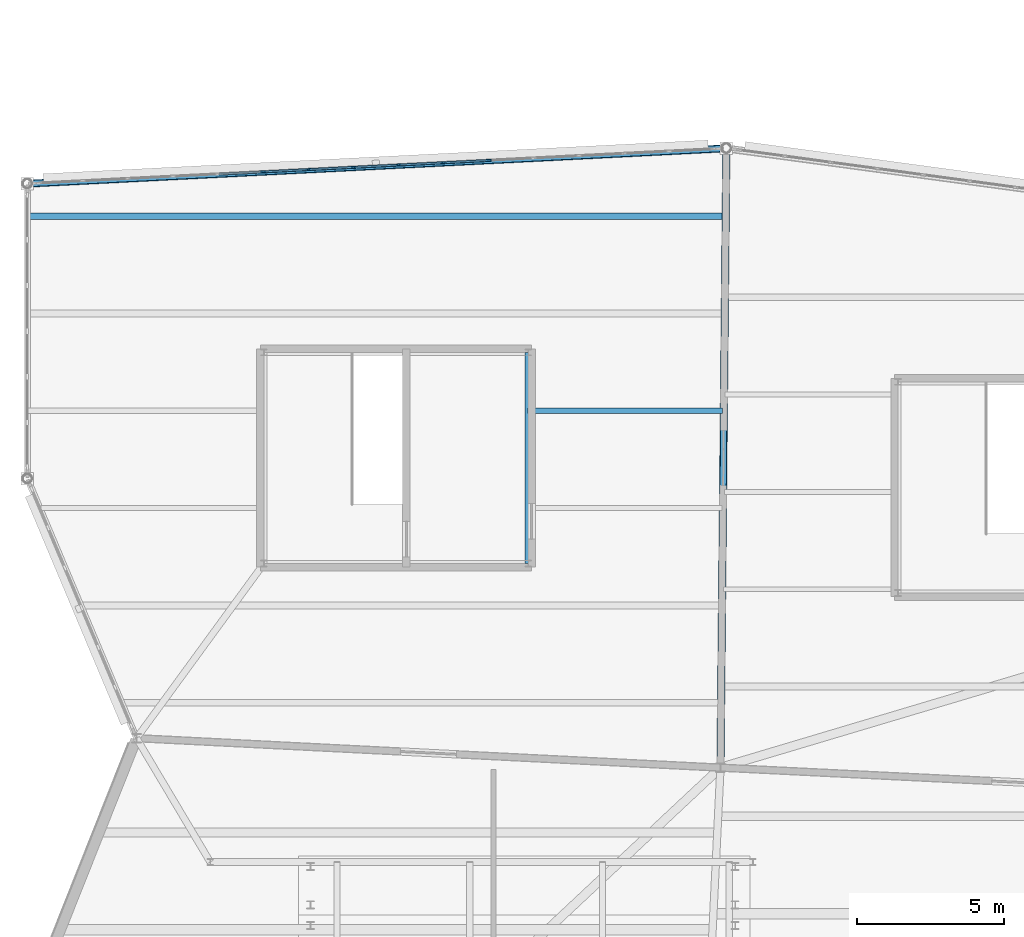
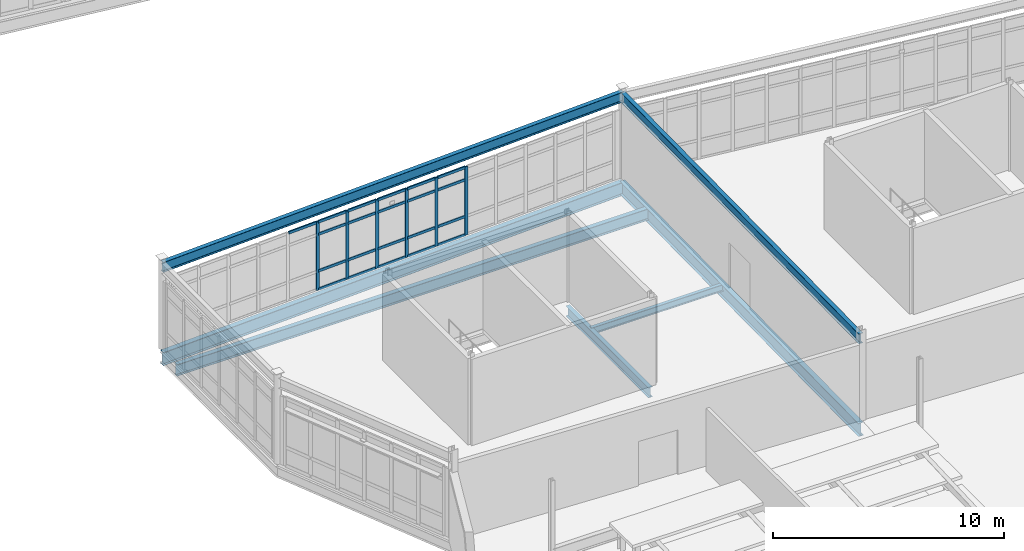
# One storey, part 32 of 134: 27 members, 7 beams, 1 element without a shape of its own.
"""IFC4 building model written with IfcOpenShell, lengths in metres."""

from ifc_helpers import new_model, si_unit, direction, frame, origin, origin_2d, place, context, subcontext, project, spatial, rectangle, i_section, extrude, material, material_profile, profile_set, type_object, element, aggregate, save


model = new_model("IFC4")

# Units and contexts
model_context = context("Model", 3, precision=1e-05, world=origin(), true_north=direction((0.0, 1.0)))
body_context = subcontext(model_context, "Body", "Model", "MODEL_VIEW")
ifc_project = project(units=[si_unit("LENGTHUNIT", "METRE"), si_unit("AREAUNIT", "SQUARE_METRE"), si_unit("VOLUMEUNIT", "CUBIC_METRE"), si_unit("PLANEANGLEUNIT", "RADIAN"), si_unit("MASSUNIT", "GRAM", prefix="KILO")], contexts=[model_context])

# Site, building, storey
site_placement = place(None, origin())
site = spatial("IfcSite", under=ifc_project, at=site_placement, CompositionType="ELEMENT")
building_placement = place(site_placement, origin())
building = spatial("IfcBuilding", under=site, at=building_placement, Name="Tameran Prism Museum", CompositionType="ELEMENT")
storey_placement = place(building_placement, frame((0.0, 0.0, 5.39990234375)))
storey = spatial("IfcBuildingStorey", under=building, at=storey_placement, Name="L01", CompositionType="ELEMENT", Elevation=5.39990234375)

# Beams
ifc_material_1 = material(Name="Steel Grade 300PLUS (300 MPa)", Category="steel")
ifc_material_profile_1 = material_profile(ifc_material_1, i_section(OverallWidth=0.172119140625, OverallDepth=0.35888671875, WebThickness=0.008056640625, FlangeThickness=0.012939453125, FilletRadius=0.011474609375, at=origin_2d()))
ifc_profile_set_1 = profile_set([ifc_material_profile_1])
beam_type_1 = type_object("IfcBeamType", Name="BM-J360A", PredefinedType="JOIST", material=ifc_profile_set_1)
beam_1_placement = place(storey_placement, frame((16.97998046875, 34.10009765625, -0.37939453125), z_axis=(1.0, 0.0, 0.0), x_axis=(0.0, 1.0, 0.0)))
element("IfcBeam", 1, at=beam_1_placement, inside=storey, type_object=beam_type_1, Name="Floor Beam BM-0602", PredefinedType="JOIST", context=body_context, shape_type="SweptSolid", body=[
    extrude(i_section(OverallWidth=0.172119140625, OverallDepth=0.35888671875, WebThickness=0.008056640625, FlangeThickness=0.012939453125, FilletRadius=0.011474609375, at=origin_2d()), origin(), (0.0, 0.0, 1.0), 6.594970703125),
])
ifc_material_2 = material(Name="Steel Grade 300PLUS (300 MPa)", Category="steel")
ifc_material_profile_2 = material_profile(ifc_material_2, i_section(OverallWidth=0.208984375, OverallDepth=0.528076171875, WebThickness=0.009521484375, FlangeThickness=0.01318359375, FilletRadius=0.013916015625, at=origin_2d()))
ifc_profile_set_2 = profile_set([ifc_material_profile_2])
beam_type_2 = type_object("IfcBeamType", Name="BM-SP530B", PredefinedType="SPANDREL", material=ifc_profile_set_2)
beam_2_placement = place(storey_placement, frame((23.699951171875, 43.0, 4.2861328125), z_axis=(-0.998720712235, -0.050566183885, 0.0), x_axis=(0.050566183885, -0.998720712235, 0.0)))
element("IfcBeam", 2, at=beam_2_placement, inside=storey, type_object=beam_type_2, Name="Roof Ring Beam RB-0401", PredefinedType="SPANDREL", context=body_context, shape_type="SweptSolid", body=[
    extrude(i_section(OverallWidth=0.208984375, OverallDepth=0.528076171875, WebThickness=0.009521484375, FlangeThickness=0.01318359375, FilletRadius=0.013916015625, at=origin_2d()), origin(), (0.0, 0.0, 1.0), 23.730224609375),
])
beam_3_placement = place(storey_placement, frame((23.5, 22.0, 4.256103515625), z_axis=(0.009521052802, 0.99995467375, 0.0), x_axis=(-0.99995467375, 0.009521052802, 0.0)))
element("IfcBeam", 3, at=beam_3_placement, inside=storey, type_object=beam_type_2, Name="Roof Ring Beam RB-0404", PredefinedType="SPANDREL", context=body_context, shape_type="SweptSolid", body=[
    extrude(i_section(OverallWidth=0.208984375, OverallDepth=0.528076171875, WebThickness=0.009521484375, FlangeThickness=0.01318359375, FilletRadius=0.013916015625, at=origin_2d()), origin(), (0.0, 0.0, 1.0), 21.0009765625),
])
beam_4_placement = place(storey_placement, frame((16.97998046875, 28.919921875, -0.50390625), z_axis=(0.0, 1.0, 0.0), x_axis=(-1.0, 0.0, 0.0)))
element("IfcBeam", 4, at=beam_4_placement, inside=storey, type_object=beam_type_2, Name="Core Ring Beam CTB-0475", PredefinedType="SPANDREL", context=body_context, shape_type="SweptSolid", body=[
    extrude(i_section(OverallWidth=0.208984375, OverallDepth=0.528076171875, WebThickness=0.009521484375, FlangeThickness=0.01318359375, FilletRadius=0.013916015625, at=origin_2d()), origin(), (0.0, 0.0, 1.0), 7.16015625),
])
ifc_material_3 = material(Name="Steel Grade 350 (350 MPa)", Category="steel")
ifc_material_profile_3 = material_profile(ifc_material_3, i_section(OverallWidth=0.25, OverallDepth=0.699951171875, WebThickness=0.010009765625, FlangeThickness=0.02001953125, at=origin_2d()))
ifc_profile_set_3 = profile_set([ifc_material_profile_3])
beam_type_3 = type_object("IfcBeamType", Name="BM-SP700", PredefinedType="SPANDREL", material=ifc_profile_set_3)
beam_5_placement = place(storey_placement, frame((23.699951171875, 43.0, -0.5498046875), z_axis=(-0.998720712235, -0.050566183885, 0.0), x_axis=(0.050566183885, -0.998720712235, 0.0)))
element("IfcBeam", 5, at=beam_5_placement, inside=storey, type_object=beam_type_3, Name="Perimeter Spandrel SP-0397", PredefinedType="SPANDREL", context=body_context, shape_type="SweptSolid", body=[
    extrude(i_section(OverallWidth=0.25, OverallDepth=0.699951171875, WebThickness=0.010009765625, FlangeThickness=0.02001953125, at=origin_2d()), origin(), (0.0, 0.0, 1.0), 23.730224609375),
])
beam_6_placement = place(storey_placement, frame((23.5, 22.0, -0.5498046875), z_axis=(0.009521052802, 0.99995467375, 0.0), x_axis=(-0.99995467375, 0.009521052802, 0.0)))
element("IfcBeam", 6, at=beam_6_placement, inside=storey, type_object=beam_type_3, Name="Perimeter Spandrel SP-0400", PredefinedType="SPANDREL", context=body_context, shape_type="SweptSolid", body=[
    extrude(i_section(OverallWidth=0.25, OverallDepth=0.699951171875, WebThickness=0.010009765625, FlangeThickness=0.02001953125, at=origin_2d()), origin(), (0.0, 0.0, 1.0), 21.0009765625),
])
ifc_material_4 = material(Name="Steel Grade 300PLUS (300 MPa)", Category="steel")
ifc_material_profile_4 = material_profile(ifc_material_4, i_section(OverallWidth=0.22802734375, OverallDepth=0.60693359375, WebThickness=0.01123046875, FlangeThickness=0.017333984375, FilletRadius=0.013916015625, at=origin_2d()))
ifc_profile_set_4 = profile_set([ifc_material_profile_4])
beam_type_4 = type_object("IfcBeamType", Name="BM-UB610B", PredefinedType="BEAM", material=ifc_profile_set_4)
beam_7_placement = place(storey_placement, frame((0.0400390625, 40.699951171875, -0.50341796875), z_axis=(1.0, 0.0, 0.0), x_axis=(0.0, 1.0, 0.0)))
element("IfcBeam", 7, at=beam_7_placement, inside=storey, type_object=beam_type_4, Name="Floor Beam BM-0604", PredefinedType="BEAM", context=body_context, shape_type="SweptSolid", body=[
    extrude(i_section(OverallWidth=0.22802734375, OverallDepth=0.60693359375, WebThickness=0.01123046875, FlangeThickness=0.017333984375, FilletRadius=0.013916015625, at=origin_2d()), origin(), (0.0, 0.0, 1.0), 23.597900390625),
])

# Curtain wall, members
ifc_material_5 = material(Name="Anodised Aluminium 6063-T6 and Cyclone Solar Glass", Category="aluminium")
curtain_wall_type = type_object("IfcCurtainWallType", Name="CW-FAC-2297x362", PredefinedType="USERDEFINED", material=ifc_material_5)
curtain_wall_placement = place(storey_placement, origin())
curtain_wall = element("IfcCurtainWall", 8, at=curtain_wall_placement, inside=storey, type_object=curtain_wall_type, Name="Unitised Curtain Wall CW-087", ObjectType="UNITISED CURTAIN WALL", PredefinedType="USERDEFINED")
ifc_material_6 = material(Name="Anodised Aluminium Alloy 6063-T6", Category="aluminium")
ifc_material_profile_5 = material_profile(ifc_material_6, rectangle(XDim=0.06494140625, YDim=0.159912109375, at=origin_2d()))
ifc_profile_set_5 = profile_set([ifc_material_profile_5])
member_type_1 = type_object("IfcMemberType", Name="CW-MUL-A", PredefinedType="MULLION", material=ifc_profile_set_5)
member_1_placement = place(storey_placement, frame((7.99658203125, 42.205078125, 0.0), z_axis=(0.0, 0.0, 1.0), x_axis=(-0.050545595335, 0.99872175444, 0.0)))
member_1 = element("IfcMember", 9, at=member_1_placement, type_object=member_type_1, Name="CW-087 mullion 6", PredefinedType="MULLION", context=body_context, shape_type="SweptSolid", body=[
    extrude(rectangle(XDim=0.06494140625, YDim=0.159912109375, at=origin_2d()), origin(), (0.0, 0.0, 1.0), 3.6201171875),
])
member_2_placement = place(storey_placement, frame((9.52587890625, 42.282470703125, 0.0), z_axis=(0.0, 0.0, 1.0), x_axis=(-0.050545595335, 0.99872175444, 0.0)))
member_2 = element("IfcMember", 10, at=member_2_placement, type_object=member_type_1, Name="CW-087 mullion 7", PredefinedType="MULLION", context=body_context, shape_type="SweptSolid", body=[
    extrude(rectangle(XDim=0.06494140625, YDim=0.159912109375, at=origin_2d()), origin(), (0.0, 0.0, 1.0), 3.6201171875),
])
member_3_placement = place(storey_placement, frame((11.055419921875, 42.35986328125, 0.0), z_axis=(0.0, 0.0, 1.0), x_axis=(-0.050545595335, 0.99872175444, 0.0)))
member_3 = element("IfcMember", 11, at=member_3_placement, type_object=member_type_1, Name="CW-087 mullion 8", PredefinedType="MULLION", context=body_context, shape_type="SweptSolid", body=[
    extrude(rectangle(XDim=0.06494140625, YDim=0.159912109375, at=origin_2d()), origin(), (0.0, 0.0, 1.0), 3.6201171875),
])
member_4_placement = place(storey_placement, frame((12.584716796875, 42.437255859375, 0.0), z_axis=(0.0, 0.0, 1.0), x_axis=(-0.050545595335, 0.99872175444, 0.0)))
member_4 = element("IfcMember", 12, at=member_4_placement, type_object=member_type_1, Name="CW-087 mullion 9", PredefinedType="MULLION", context=body_context, shape_type="SweptSolid", body=[
    extrude(rectangle(XDim=0.06494140625, YDim=0.159912109375, at=origin_2d()), origin(), (0.0, 0.0, 1.0), 3.6201171875),
])
member_5_placement = place(storey_placement, frame((14.114013671875, 42.5146484375, 0.0), z_axis=(0.0, 0.0, 1.0), x_axis=(-0.050545595335, 0.99872175444, 0.0)))
member_5 = element("IfcMember", 13, at=member_5_placement, type_object=member_type_1, Name="CW-087 mullion 10", PredefinedType="MULLION", context=body_context, shape_type="SweptSolid", body=[
    extrude(rectangle(XDim=0.06494140625, YDim=0.159912109375, at=origin_2d()), origin(), (0.0, 0.0, 1.0), 3.6201171875),
])
member_6_placement = place(storey_placement, frame((15.643310546875, 42.592041015625, 0.0), z_axis=(0.0, 0.0, 1.0), x_axis=(-0.050545595335, 0.99872175444, 0.0)))
member_6 = element("IfcMember", 14, at=member_6_placement, type_object=member_type_1, Name="CW-087 mullion 11", PredefinedType="MULLION", context=body_context, shape_type="SweptSolid", body=[
    extrude(rectangle(XDim=0.06494140625, YDim=0.159912109375, at=origin_2d()), origin(), (0.0, 0.0, 1.0), 3.6201171875),
])
ifc_material_7 = material(Name="Anodised Aluminium Alloy 6063-T6", Category="aluminium")
ifc_material_profile_6 = material_profile(ifc_material_7, rectangle(XDim=0.06494140625, YDim=0.139892578125, at=origin_2d()))
ifc_profile_set_6 = profile_set([ifc_material_profile_6])
member_type_2 = type_object("IfcMemberType", Name="CW-TRN-A", PredefinedType="USERDEFINED", material=ifc_profile_set_6)
member_7_placement = place(storey_placement, frame((6.499755859375, 42.129150390625, 3.587646484375), z_axis=(0.998718057597, 0.050618587781, 0.0), x_axis=(-0.050618587781, 0.998718057597, 0.0)))
member_7 = element("IfcMember", 15, at=member_7_placement, type_object=member_type_2, Name="CW-087 transom 5.4", ObjectType="TRANSOM", PredefinedType="USERDEFINED", context=body_context, shape_type="SweptSolid", body=[
    extrude(rectangle(XDim=0.06494140625, YDim=0.139892578125, at=origin_2d()), origin(), (0.0, 0.0, 1.0), 1.46630859375),
])
member_8_placement = place(storey_placement, frame((8.029052734375, 42.20654296875, 0.03271484375), z_axis=(0.998718484126, 0.050610171558, 0.0), x_axis=(-0.050610171558, 0.998718484126, 0.0)))
member_8 = element("IfcMember", 16, at=member_8_placement, type_object=member_type_2, Name="CW-087 transom 6.1", ObjectType="TRANSOM", PredefinedType="USERDEFINED", context=body_context, shape_type="SweptSolid", body=[
    extrude(rectangle(XDim=0.06494140625, YDim=0.139892578125, at=origin_2d()), origin(), (0.0, 0.0, 1.0), 1.466552734375),
])
member_9_placement = place(storey_placement, frame((8.029052734375, 42.20654296875, 1.0), z_axis=(0.998718484126, 0.050610171558, 0.0), x_axis=(-0.050610171558, 0.998718484126, 0.0)))
member_9 = element("IfcMember", 17, at=member_9_placement, type_object=member_type_2, Name="CW-087 transom 6.2", ObjectType="TRANSOM", PredefinedType="USERDEFINED", context=body_context, shape_type="SweptSolid", body=[
    extrude(rectangle(XDim=0.06494140625, YDim=0.139892578125, at=origin_2d()), origin(), (0.0, 0.0, 1.0), 1.466552734375),
])
member_10_placement = place(storey_placement, frame((8.029052734375, 42.20654296875, 2.940185546875), z_axis=(0.998718484126, 0.050610171558, 0.0), x_axis=(-0.050610171558, 0.998718484126, 0.0)))
member_10 = element("IfcMember", 18, at=member_10_placement, type_object=member_type_2, Name="CW-087 transom 6.3", ObjectType="TRANSOM", PredefinedType="USERDEFINED", context=body_context, shape_type="SweptSolid", body=[
    extrude(rectangle(XDim=0.06494140625, YDim=0.139892578125, at=origin_2d()), origin(), (0.0, 0.0, 1.0), 1.466552734375),
])
member_11_placement = place(storey_placement, frame((8.029052734375, 42.20654296875, 3.587646484375), z_axis=(0.998718484126, 0.050610171558, 0.0), x_axis=(-0.050610171558, 0.998718484126, 0.0)))
member_11 = element("IfcMember", 19, at=member_11_placement, type_object=member_type_2, Name="CW-087 transom 6.4", ObjectType="TRANSOM", PredefinedType="USERDEFINED", context=body_context, shape_type="SweptSolid", body=[
    extrude(rectangle(XDim=0.06494140625, YDim=0.139892578125, at=origin_2d()), origin(), (0.0, 0.0, 1.0), 1.466552734375),
])
member_12_placement = place(storey_placement, frame((9.558349609375, 42.283935546875, 0.03271484375), z_axis=(0.998718484126, 0.050610171558, 0.0), x_axis=(-0.050610171558, 0.998718484126, 0.0)))
member_12 = element("IfcMember", 20, at=member_12_placement, type_object=member_type_2, Name="CW-087 transom 7.1", ObjectType="TRANSOM", PredefinedType="USERDEFINED", context=body_context, shape_type="SweptSolid", body=[
    extrude(rectangle(XDim=0.06494140625, YDim=0.139892578125, at=origin_2d()), origin(), (0.0, 0.0, 1.0), 1.466552734375),
])
member_13_placement = place(storey_placement, frame((9.558349609375, 42.283935546875, 1.0), z_axis=(0.998718484126, 0.050610171558, 0.0), x_axis=(-0.050610171558, 0.998718484126, 0.0)))
member_13 = element("IfcMember", 21, at=member_13_placement, type_object=member_type_2, Name="CW-087 transom 7.2", ObjectType="TRANSOM", PredefinedType="USERDEFINED", context=body_context, shape_type="SweptSolid", body=[
    extrude(rectangle(XDim=0.06494140625, YDim=0.139892578125, at=origin_2d()), origin(), (0.0, 0.0, 1.0), 1.466552734375),
])
member_14_placement = place(storey_placement, frame((9.558349609375, 42.283935546875, 2.940185546875), z_axis=(0.998718484126, 0.050610171558, 0.0), x_axis=(-0.050610171558, 0.998718484126, 0.0)))
member_14 = element("IfcMember", 22, at=member_14_placement, type_object=member_type_2, Name="CW-087 transom 7.3", ObjectType="TRANSOM", PredefinedType="USERDEFINED", context=body_context, shape_type="SweptSolid", body=[
    extrude(rectangle(XDim=0.06494140625, YDim=0.139892578125, at=origin_2d()), origin(), (0.0, 0.0, 1.0), 1.466552734375),
])
member_15_placement = place(storey_placement, frame((9.558349609375, 42.283935546875, 3.587646484375), z_axis=(0.998718484126, 0.050610171558, 0.0), x_axis=(-0.050610171558, 0.998718484126, 0.0)))
member_15 = element("IfcMember", 23, at=member_15_placement, type_object=member_type_2, Name="CW-087 transom 7.4", ObjectType="TRANSOM", PredefinedType="USERDEFINED", context=body_context, shape_type="SweptSolid", body=[
    extrude(rectangle(XDim=0.06494140625, YDim=0.139892578125, at=origin_2d()), origin(), (0.0, 0.0, 1.0), 1.466552734375),
])
member_16_placement = place(storey_placement, frame((11.087890625, 42.361328125, 0.03271484375), z_axis=(0.998718057597, 0.050618587781, 0.0), x_axis=(-0.050618587781, 0.998718057597, 0.0)))
member_16 = element("IfcMember", 24, at=member_16_placement, type_object=member_type_2, Name="CW-087 transom 8.1", ObjectType="TRANSOM", PredefinedType="USERDEFINED", context=body_context, shape_type="SweptSolid", body=[
    extrude(rectangle(XDim=0.06494140625, YDim=0.139892578125, at=origin_2d()), origin(), (0.0, 0.0, 1.0), 1.46630859375),
])
member_17_placement = place(storey_placement, frame((11.087890625, 42.361328125, 1.0), z_axis=(0.998718057597, 0.050618587781, 0.0), x_axis=(-0.050618587781, 0.998718057597, 0.0)))
member_17 = element("IfcMember", 25, at=member_17_placement, type_object=member_type_2, Name="CW-087 transom 8.2", ObjectType="TRANSOM", PredefinedType="USERDEFINED", context=body_context, shape_type="SweptSolid", body=[
    extrude(rectangle(XDim=0.06494140625, YDim=0.139892578125, at=origin_2d()), origin(), (0.0, 0.0, 1.0), 1.46630859375),
])
member_18_placement = place(storey_placement, frame((11.087890625, 42.361328125, 2.940185546875), z_axis=(0.998718057597, 0.050618587781, 0.0), x_axis=(-0.050618587781, 0.998718057597, 0.0)))
member_18 = element("IfcMember", 26, at=member_18_placement, type_object=member_type_2, Name="CW-087 transom 8.3", ObjectType="TRANSOM", PredefinedType="USERDEFINED", context=body_context, shape_type="SweptSolid", body=[
    extrude(rectangle(XDim=0.06494140625, YDim=0.139892578125, at=origin_2d()), origin(), (0.0, 0.0, 1.0), 1.46630859375),
])
member_19_placement = place(storey_placement, frame((11.087890625, 42.361328125, 3.587646484375), z_axis=(0.998718057597, 0.050618587781, 0.0), x_axis=(-0.050618587781, 0.998718057597, 0.0)))
member_19 = element("IfcMember", 27, at=member_19_placement, type_object=member_type_2, Name="CW-087 transom 8.4", ObjectType="TRANSOM", PredefinedType="USERDEFINED", context=body_context, shape_type="SweptSolid", body=[
    extrude(rectangle(XDim=0.06494140625, YDim=0.139892578125, at=origin_2d()), origin(), (0.0, 0.0, 1.0), 1.46630859375),
])
member_20_placement = place(storey_placement, frame((12.6171875, 42.438720703125, 0.03271484375), z_axis=(0.998718057597, 0.050618587781, 0.0), x_axis=(-0.050618587781, 0.998718057597, 0.0)))
member_20 = element("IfcMember", 28, at=member_20_placement, type_object=member_type_2, Name="CW-087 transom 9.1", ObjectType="TRANSOM", PredefinedType="USERDEFINED", context=body_context, shape_type="SweptSolid", body=[
    extrude(rectangle(XDim=0.06494140625, YDim=0.139892578125, at=origin_2d()), origin(), (0.0, 0.0, 1.0), 1.46630859375),
])
member_21_placement = place(storey_placement, frame((12.6171875, 42.438720703125, 1.0), z_axis=(0.998718057597, 0.050618587781, 0.0), x_axis=(-0.050618587781, 0.998718057597, 0.0)))
member_21 = element("IfcMember", 29, at=member_21_placement, type_object=member_type_2, Name="CW-087 transom 9.2", ObjectType="TRANSOM", PredefinedType="USERDEFINED", context=body_context, shape_type="SweptSolid", body=[
    extrude(rectangle(XDim=0.06494140625, YDim=0.139892578125, at=origin_2d()), origin(), (0.0, 0.0, 1.0), 1.46630859375),
])
member_22_placement = place(storey_placement, frame((12.6171875, 42.438720703125, 2.940185546875), z_axis=(0.998718057597, 0.050618587781, 0.0), x_axis=(-0.050618587781, 0.998718057597, 0.0)))
member_22 = element("IfcMember", 30, at=member_22_placement, type_object=member_type_2, Name="CW-087 transom 9.3", ObjectType="TRANSOM", PredefinedType="USERDEFINED", context=body_context, shape_type="SweptSolid", body=[
    extrude(rectangle(XDim=0.06494140625, YDim=0.139892578125, at=origin_2d()), origin(), (0.0, 0.0, 1.0), 1.46630859375),
])
member_23_placement = place(storey_placement, frame((12.6171875, 42.438720703125, 3.587646484375), z_axis=(0.998718057597, 0.050618587781, 0.0), x_axis=(-0.050618587781, 0.998718057597, 0.0)))
member_23 = element("IfcMember", 31, at=member_23_placement, type_object=member_type_2, Name="CW-087 transom 9.4", ObjectType="TRANSOM", PredefinedType="USERDEFINED", context=body_context, shape_type="SweptSolid", body=[
    extrude(rectangle(XDim=0.06494140625, YDim=0.139892578125, at=origin_2d()), origin(), (0.0, 0.0, 1.0), 1.46630859375),
])
member_24_placement = place(storey_placement, frame((14.146484375, 42.516357421875, 0.03271484375), z_axis=(0.99872646148, 0.050452503806, 0.0), x_axis=(-0.050452503806, 0.99872646148, 0.0)))
member_24 = element("IfcMember", 32, at=member_24_placement, type_object=member_type_2, Name="CW-087 transom 10.1", ObjectType="TRANSOM", PredefinedType="USERDEFINED", context=body_context, shape_type="SweptSolid", body=[
    extrude(rectangle(XDim=0.06494140625, YDim=0.139892578125, at=origin_2d()), origin(), (0.0, 0.0, 1.0), 1.46630859375),
])
member_25_placement = place(storey_placement, frame((14.146484375, 42.516357421875, 1.0), z_axis=(0.99872646148, 0.050452503806, 0.0), x_axis=(-0.050452503806, 0.99872646148, 0.0)))
member_25 = element("IfcMember", 33, at=member_25_placement, type_object=member_type_2, Name="CW-087 transom 10.2", ObjectType="TRANSOM", PredefinedType="USERDEFINED", context=body_context, shape_type="SweptSolid", body=[
    extrude(rectangle(XDim=0.06494140625, YDim=0.139892578125, at=origin_2d()), origin(), (0.0, 0.0, 1.0), 1.46630859375),
])
member_26_placement = place(storey_placement, frame((14.146484375, 42.516357421875, 2.940185546875), z_axis=(0.99872646148, 0.050452503806, 0.0), x_axis=(-0.050452503806, 0.99872646148, 0.0)))
member_26 = element("IfcMember", 34, at=member_26_placement, type_object=member_type_2, Name="CW-087 transom 10.3", ObjectType="TRANSOM", PredefinedType="USERDEFINED", context=body_context, shape_type="SweptSolid", body=[
    extrude(rectangle(XDim=0.06494140625, YDim=0.139892578125, at=origin_2d()), origin(), (0.0, 0.0, 1.0), 1.46630859375),
])
member_27_placement = place(storey_placement, frame((14.146484375, 42.516357421875, 3.587646484375), z_axis=(0.99872646148, 0.050452503806, 0.0), x_axis=(-0.050452503806, 0.99872646148, 0.0)))
member_27 = element("IfcMember", 35, at=member_27_placement, type_object=member_type_2, Name="CW-087 transom 10.4", ObjectType="TRANSOM", PredefinedType="USERDEFINED", context=body_context, shape_type="SweptSolid", body=[
    extrude(rectangle(XDim=0.06494140625, YDim=0.139892578125, at=origin_2d()), origin(), (0.0, 0.0, 1.0), 1.46630859375),
])
aggregate(curtain_wall, [member_1, member_2, member_3, member_4, member_5, member_6, member_7, member_8, member_9, member_10, member_11, member_12, member_13, member_14, member_15, member_16, member_17, member_18, member_19, member_20, member_21, member_22, member_23, member_24, member_25, member_26, member_27])

save(model, "model.ifc")
